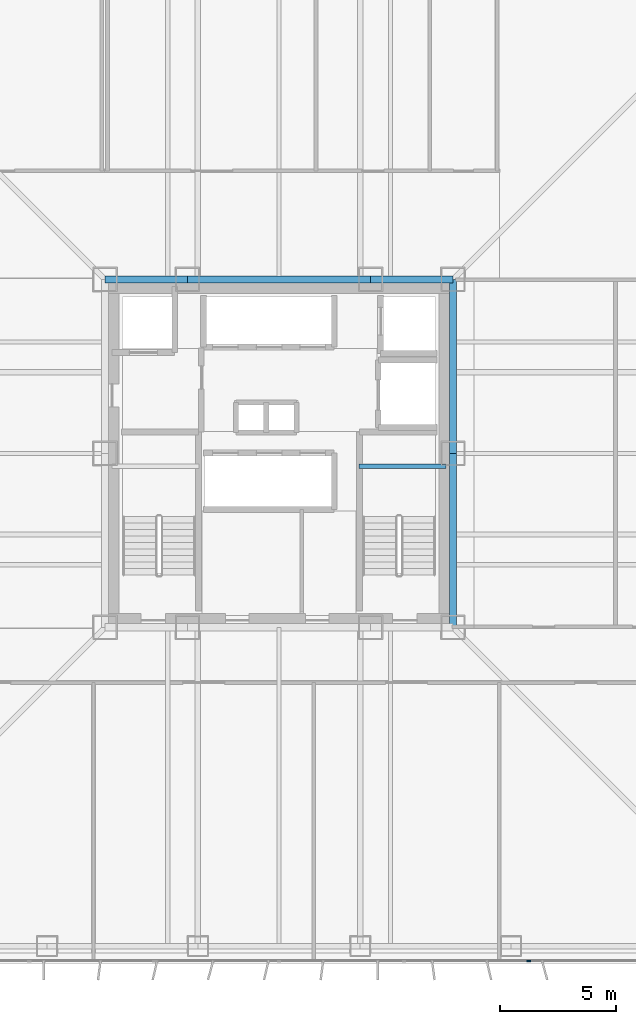
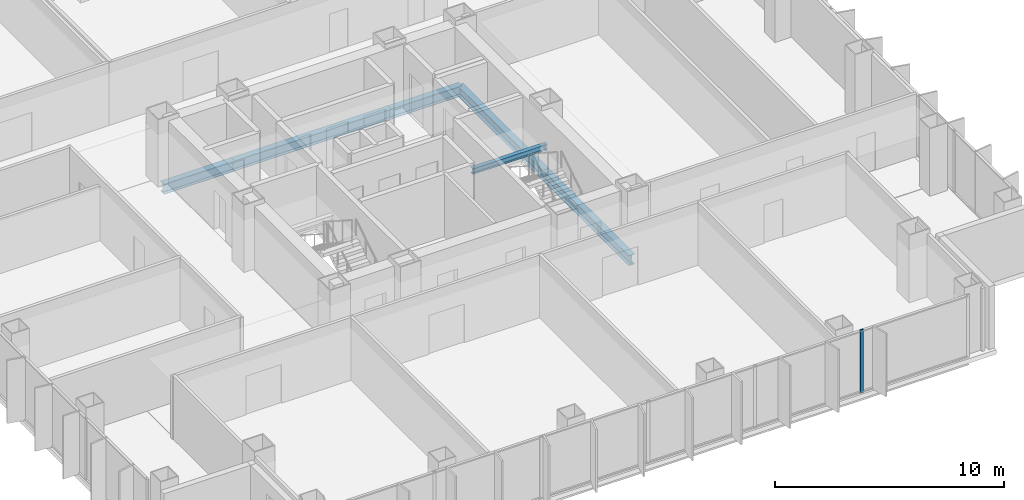
# One storey, part 5 of 14: 6 beams, 1 member, 1 element without a shape of its own.
"""IFC4 building model written with IfcOpenShell, lengths in metres."""

from ifc_helpers import new_model, si_unit, direction, frame, origin, origin_2d, place, context, subcontext, project, spatial, rectangle, i_section, extrude, material, layer, layer_set, material_profile, profile_set, type_object, element, aggregate, save


model = new_model("IFC4")

# Units and contexts
model_context = context("Model", 3, precision=1e-05, world=origin(), true_north=direction((0.0, 1.0)))
body_context = subcontext(model_context, "Body", "Model", "MODEL_VIEW")
ifc_project = project(units=[si_unit("LENGTHUNIT", "METRE"), si_unit("AREAUNIT", "SQUARE_METRE"), si_unit("VOLUMEUNIT", "CUBIC_METRE"), si_unit("PLANEANGLEUNIT", "RADIAN"), si_unit("MASSUNIT", "GRAM", prefix="KILO")], contexts=[model_context])

# Site, building, storey
site_placement = place(None, origin())
site = spatial("IfcSite", under=ifc_project, at=site_placement, CompositionType="ELEMENT")
building_placement = place(site_placement, origin())
building = spatial("IfcBuilding", under=site, at=building_placement, Name="Trevonay Congress Spire", CompositionType="ELEMENT")
storey_placement = place(building_placement, frame((0.0, 0.0, 137.199951171875)))
storey = spatial("IfcBuildingStorey", under=building, at=storey_placement, Name="L35", CompositionType="ELEMENT", Elevation=137.199951171875)

# Beams
ifc_material_1 = material(Name="Steel ASTM A572 Grade 50", Category="steel")
ifc_material_profile_1 = material_profile(ifc_material_1, i_section(OverallWidth=0.31201171875, OverallDepth=0.54296875, WebThickness=0.0126953125, FlangeThickness=0.020263671875, FilletRadius=0.014892578125, at=origin_2d()), Name="W530x150")
ifc_profile_set_1 = profile_set([ifc_material_profile_1], Name="Steel ASTM A572 Grade 50")
beam_type_1 = type_object("IfcBeamType", Name="BM-GIRD-W530X150", PredefinedType="BEAM", material=ifc_profile_set_1)
beam_1_placement = place(storey_placement, frame((-7.5, 7.5, -0.511474609375), z_axis=(1.0, 0.0, 0.0), x_axis=(0.0, 1.0, 0.0)))
element("IfcBeam", 1, at=beam_1_placement, inside=storey, type_object=beam_type_1, Name="L35 structural beam BM-L35-CR-N1", PredefinedType="BEAM", context=body_context, shape_type="SweptSolid", body=[
    extrude(i_section(OverallWidth=0.31201171875, OverallDepth=0.54296875, WebThickness=0.0126953125, FlangeThickness=0.020263671875, FilletRadius=0.014892578125, at=origin_2d()), origin(), (0.0, 0.0, 1.0), 3.550048828125),
])
beam_2_placement = place(storey_placement, frame((-3.949951171875, 7.5, -0.511474609375), z_axis=(1.0, 0.0, 0.0), x_axis=(0.0, 1.0, 0.0)))
element("IfcBeam", 2, at=beam_2_placement, inside=storey, type_object=beam_type_1, Name="L35 structural beam BM-L35-CR-N2", PredefinedType="BEAM", context=body_context, shape_type="SweptSolid", body=[
    extrude(i_section(OverallWidth=0.31201171875, OverallDepth=0.54296875, WebThickness=0.0126953125, FlangeThickness=0.020263671875, FilletRadius=0.014892578125, at=origin_2d()), origin(), (0.0, 0.0, 1.0), 7.89990234375),
])
beam_3_placement = place(storey_placement, frame((3.949951171875, 7.5, -0.511474609375), z_axis=(1.0, 0.0, 0.0), x_axis=(0.0, 1.0, 0.0)))
element("IfcBeam", 3, at=beam_3_placement, inside=storey, type_object=beam_type_1, Name="L35 structural beam BM-L35-CR-N3", PredefinedType="BEAM", context=body_context, shape_type="SweptSolid", body=[
    extrude(i_section(OverallWidth=0.31201171875, OverallDepth=0.54296875, WebThickness=0.0126953125, FlangeThickness=0.020263671875, FilletRadius=0.014892578125, at=origin_2d()), origin(), (0.0, 0.0, 1.0), 3.550048828125),
])
for number, where, z_axis, x_axis, name in (
    (4, (7.5, -7.5, -0.511474609375), (0.0, 1.0, 0.0), (-1.0, 0.0, 0.0), "L35 structural beam BM-L35-CR-E1"),
    (5, (7.5, 0.0, -0.511474609375), (0.0, 1.0, 0.0), (-1.0, 0.0, 0.0), "L35 structural beam BM-L35-CR-E2"),
):
    element("IfcBeam", number, at=place(storey_placement, frame(where, z_axis=z_axis, x_axis=x_axis)), inside=storey, type_object=beam_type_1, Name=name, PredefinedType="BEAM", context=body_context, shape_type="SweptSolid", body=[
        extrude(i_section(OverallWidth=0.31201171875, OverallDepth=0.54296875, WebThickness=0.0126953125, FlangeThickness=0.020263671875, FilletRadius=0.014892578125, at=origin_2d()), origin(), (0.0, 0.0, 1.0), 7.5),
    ])

# Curtain wall, member
ifc_material_2 = material(Name="Pale Anodised Aluminium EN AW-6063-T6", Category="aluminium")
ifc_layer = layer(ifc_material_2, 0.175048828125, Name="Pale Anodised Aluminium EN AW-6063-T6")
ifc_layer_set = layer_set([ifc_layer], Name="Pale Anodised Aluminium EN AW-6063-T6")
curtain_wall_type = type_object("IfcCurtainWallType", Name="CW-SYS03-CONGRESS-PALE-METAL", PredefinedType="NOTDEFINED", material=ifc_layer_set)
curtain_wall_placement = place(storey_placement, origin())
curtain_wall = element("IfcCurtainWall", 6, at=curtain_wall_placement, inside=storey, type_object=curtain_wall_type, Name="L35 S unitised curtain wall", PredefinedType="NOTDEFINED")
ifc_material_profile_2 = material_profile(ifc_material_2, rectangle(XDim=0.06005859375, YDim=0.159912109375, at=origin_2d()), Name="CW-MULLION-160-ALUMINIUM")
ifc_profile_set_2 = profile_set([ifc_material_profile_2], Name="Pale Anodised Aluminium EN AW-6063-T6")
member_type = type_object("IfcMemberType", Name="CW-MULLION-160-ALUMINIUM", PredefinedType="MULLION", material=ifc_profile_set_2)
member_placement = place(storey_placement, frame((10.7666015625, -21.8798828125, 0.0), z_axis=(0.0, 0.0, 1.0), x_axis=(0.0, 1.0, 0.0)))
member = element("IfcMember", 7, at=member_placement, type_object=member_type, Name="CW03 mullion 6", PredefinedType="MULLION", context=body_context, shape_type="SweptSolid", body=[
    extrude(rectangle(XDim=0.06005859375, YDim=0.159912109375, at=origin_2d()), origin(), (0.0, 0.0, 1.0), 3.360107421875),
])
aggregate(curtain_wall, [member])

# Beam
ifc_material_profile_3 = material_profile(ifc_material_1, i_section(OverallWidth=0.2041015625, OverallDepth=0.305908203125, WebThickness=0.008544921875, FlangeThickness=0.0146484375, FilletRadius=0.010986328125, at=origin_2d()), Name="W310x67")
ifc_profile_set_3 = profile_set([ifc_material_profile_3], Name="Steel ASTM A572 Grade 50")
beam_type_2 = type_object("IfcBeamType", Name="LN-CORE-W310X67", PredefinedType="LINTEL", material=ifc_profile_set_3)
beam_4_placement = place(storey_placement, frame((3.449951171875, -0.550048828125, 1.447021484375), z_axis=(1.0, 0.0, 0.0), x_axis=(0.0, 1.0, 0.0)))
element("IfcBeam", 8, at=beam_4_placement, inside=storey, type_object=beam_type_2, Name="L35 structural beam BM-L35-HL-ST2", PredefinedType="LINTEL", context=body_context, shape_type="SweptSolid", body=[
    extrude(i_section(OverallWidth=0.2041015625, OverallDepth=0.305908203125, WebThickness=0.008544921875, FlangeThickness=0.0146484375, FilletRadius=0.010986328125, at=origin_2d()), origin(), (0.0, 0.0, 1.0), 3.75),
])

save(model, "model.ifc")
